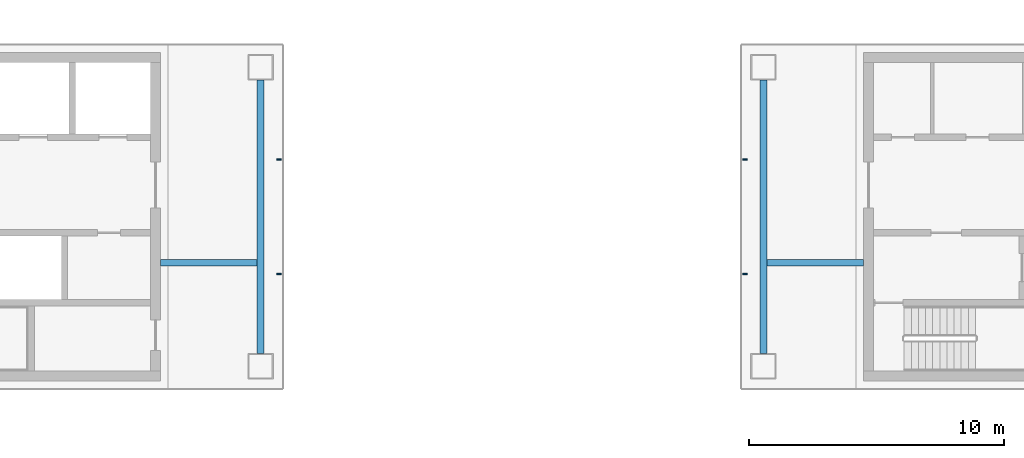
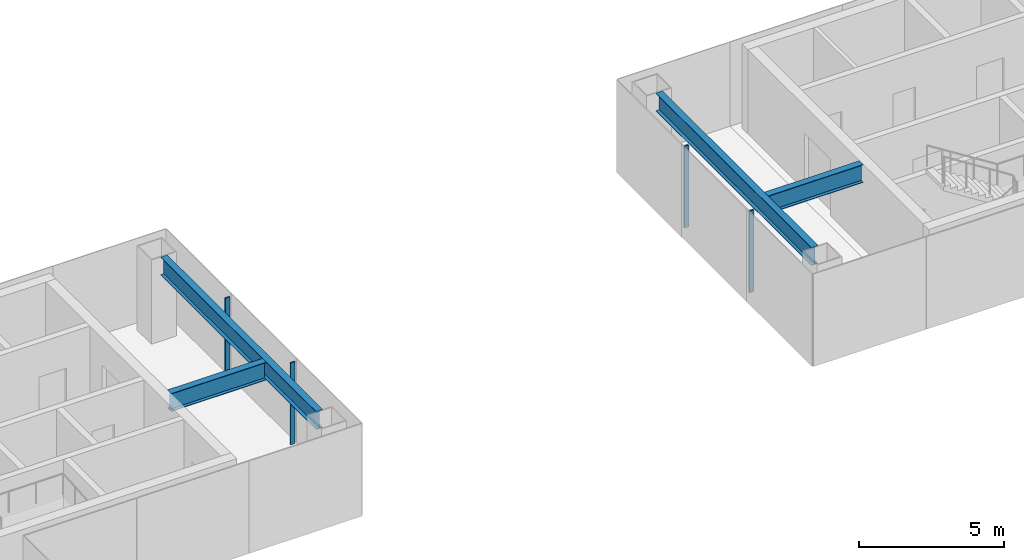
# One storey, part 4 of 15: 4 beams, 4 members, 2 elements without a shape of their own.
"""IFC4 building model written with IfcOpenShell, lengths in metres."""

from ifc_helpers import new_model, si_unit, direction, frame, origin, origin_2d, place, context, subcontext, project, spatial, rectangle, i_section, extrude, material, layer, layer_set, material_profile, profile_set, type_object, element, aggregate, save


model = new_model("IFC4")

# Units and contexts
model_context = context("Model", 3, precision=1e-05, world=origin(), true_north=direction((0.0, 1.0)))
body_context = subcontext(model_context, "Body", "Model", "MODEL_VIEW")
ifc_project = project(units=[si_unit("LENGTHUNIT", "METRE"), si_unit("AREAUNIT", "SQUARE_METRE"), si_unit("VOLUMEUNIT", "CUBIC_METRE"), si_unit("PLANEANGLEUNIT", "RADIAN"), si_unit("MASSUNIT", "GRAM", prefix="KILO")], contexts=[model_context])

# Site, building, storey
site_placement = place(None, origin())
site = spatial("IfcSite", under=ifc_project, at=site_placement, CompositionType="ELEMENT")
building_placement = place(site_placement, origin())
building = spatial("IfcBuilding", under=site, at=building_placement, Name="Shamsa Quay Exchange Towers", CompositionType="ELEMENT")
storey_placement = place(building_placement, frame((0.0, 0.0, 202.199951171875)))
storey = spatial("IfcBuildingStorey", under=building, at=storey_placement, Name="L48", CompositionType="ELEMENT", Elevation=202.199951171875)

# Curtain wall, members
ifc_material_1 = material(Name="Aluminium EN AW-6063 T6, black anodised", Category="aluminium")
ifc_layer = layer(ifc_material_1, 0.280029296875)
ifc_layer_set = layer_set([ifc_layer], Name="CW-1 UNITISED VISION GLASS")
curtain_wall_type = type_object("IfcCurtainWallType", Name="CW-1 UNITISED VISION GLASS", PredefinedType="NOTDEFINED", material=ifc_layer_set)
curtain_wall_1_placement = place(storey_placement, origin())
curtain_wall_1 = element("IfcCurtainWall", 1, at=curtain_wall_1_placement, inside=storey, type_object=curtain_wall_type, Name="CW1 T1-END-U+ L48", PredefinedType="NOTDEFINED")
ifc_material_profile_1 = material_profile(ifc_material_1, rectangle(XDim=0.179931640625, YDim=0.06005859375, at=origin_2d()), Name="MU60x180")
ifc_profile_set_1 = profile_set([ifc_material_profile_1], Name="Aluminium EN AW-6063 T6, black anodised")
member_type = type_object("IfcMemberType", Name="CW1 MULLION 60x180", PredefinedType="MULLION", material=ifc_profile_set_1)
member_1_placement = place(storey_placement, frame((-9.14990234375, -2.25, 0.0), z_axis=(0.0, 0.0, 1.0), x_axis=(-1.0, 0.0, 0.0)))
member_1 = element("IfcMember", 2, at=member_1_placement, type_object=member_type, Name="CW1 mullion", PredefinedType="MULLION", context=body_context, shape_type="SweptSolid", body=[
    extrude(rectangle(XDim=0.179931640625, YDim=0.06005859375, at=origin_2d()), origin(), (0.0, 0.0, 1.0), 3.449951171875),
])
member_2_placement = place(storey_placement, frame((-9.14990234375, 2.25, 0.0), z_axis=(0.0, 0.0, 1.0), x_axis=(-1.0, 0.0, 0.0)))
member_2 = element("IfcMember", 3, at=member_2_placement, type_object=member_type, Name="CW1 mullion", PredefinedType="MULLION", context=body_context, shape_type="SweptSolid", body=[
    extrude(rectangle(XDim=0.179931640625, YDim=0.06005859375, at=origin_2d()), origin(), (0.0, 0.0, 1.0), 3.449951171875),
])
aggregate(curtain_wall_1, [member_1, member_2])

curtain_wall_2_placement = place(storey_placement, origin())
curtain_wall_2 = element("IfcCurtainWall", 4, at=curtain_wall_2_placement, inside=storey, type_object=curtain_wall_type, Name="CW1 T2-END-V+ L48", PredefinedType="NOTDEFINED")
member_3_placement = place(storey_placement, frame((9.14990234375, 2.25, 0.0)))
member_3 = element("IfcMember", 5, at=member_3_placement, type_object=member_type, Name="CW1 mullion", PredefinedType="MULLION", context=body_context, shape_type="SweptSolid", body=[
    extrude(rectangle(XDim=0.179931640625, YDim=0.06005859375, at=origin_2d()), origin(), (0.0, 0.0, 1.0), 3.449951171875),
])
member_4_placement = place(storey_placement, frame((9.14990234375, -2.25, 0.0)))
member_4 = element("IfcMember", 6, at=member_4_placement, type_object=member_type, Name="CW1 mullion", PredefinedType="MULLION", context=body_context, shape_type="SweptSolid", body=[
    extrude(rectangle(XDim=0.179931640625, YDim=0.06005859375, at=origin_2d()), origin(), (0.0, 0.0, 1.0), 3.449951171875),
])
aggregate(curtain_wall_2, [member_3, member_4])

# Beams
ifc_material_2 = material(Name="Steel S355", Category="steel")
ifc_material_profile_2 = material_profile(ifc_material_2, i_section(OverallWidth=0.26611328125, OverallDepth=0.7578125, WebThickness=0.013916015625, FlangeThickness=0.019287109375, at=origin_2d()), Name="W30x108")
ifc_profile_set_2 = profile_set([ifc_material_profile_2], Name="Steel S355")
beam_type = type_object("IfcBeamType", Name="End-zone beam W30x108", PredefinedType="BEAM", material=ifc_profile_set_2)
beam_1_placement = place(storey_placement, frame((-9.875, -5.375, 3.171142578125), z_axis=(0.0, 1.0, 0.0), x_axis=(-1.0, 0.0, 0.0)))
element("IfcBeam", 7, at=beam_1_placement, inside=storey, type_object=beam_type, Name="End beam T1 U+ end zone L48", PredefinedType="BEAM", context=body_context, shape_type="SweptSolid", body=[
    extrude(i_section(OverallWidth=0.26611328125, OverallDepth=0.7578125, WebThickness=0.013916015625, FlangeThickness=0.019287109375, at=origin_2d()), origin(), (0.0, 0.0, 1.0), 10.75),
])
beam_2_placement = place(storey_placement, frame((-13.800048828125, -1.800048828125, 3.171142578125), z_axis=(1.0, 0.0, 0.0), x_axis=(0.0, 1.0, 0.0)))
element("IfcBeam", 8, at=beam_2_placement, inside=storey, type_object=beam_type, Name="Spine beam T1 U+ end zone L48", PredefinedType="BEAM", context=body_context, shape_type="SweptSolid", body=[
    extrude(i_section(OverallWidth=0.26611328125, OverallDepth=0.7578125, WebThickness=0.013916015625, FlangeThickness=0.019287109375, at=origin_2d()), origin(), (0.0, 0.0, 1.0), 3.7919921875),
])
beam_3_placement = place(storey_placement, frame((9.875, -5.375, 3.171142578125), z_axis=(0.0, 1.0, 0.0), x_axis=(-1.0, 0.0, 0.0)))
element("IfcBeam", 9, at=beam_3_placement, inside=storey, type_object=beam_type, Name="End beam T2 V+ end zone L48", PredefinedType="BEAM", context=body_context, shape_type="SweptSolid", body=[
    extrude(i_section(OverallWidth=0.26611328125, OverallDepth=0.7578125, WebThickness=0.013916015625, FlangeThickness=0.019287109375, at=origin_2d()), origin(), (0.0, 0.0, 1.0), 10.75),
])
beam_4_placement = place(storey_placement, frame((13.800048828125, -1.800048828125, 3.171142578125), z_axis=(-1.0, 0.0, 0.0), x_axis=(0.0, -1.0, 0.0)))
element("IfcBeam", 10, at=beam_4_placement, inside=storey, type_object=beam_type, Name="Spine beam T2 V+ end zone L48", PredefinedType="BEAM", context=body_context, shape_type="SweptSolid", body=[
    extrude(i_section(OverallWidth=0.26611328125, OverallDepth=0.7578125, WebThickness=0.013916015625, FlangeThickness=0.019287109375, at=origin_2d()), origin(), (0.0, 0.0, 1.0), 3.7919921875),
])

save(model, "model.ifc")
